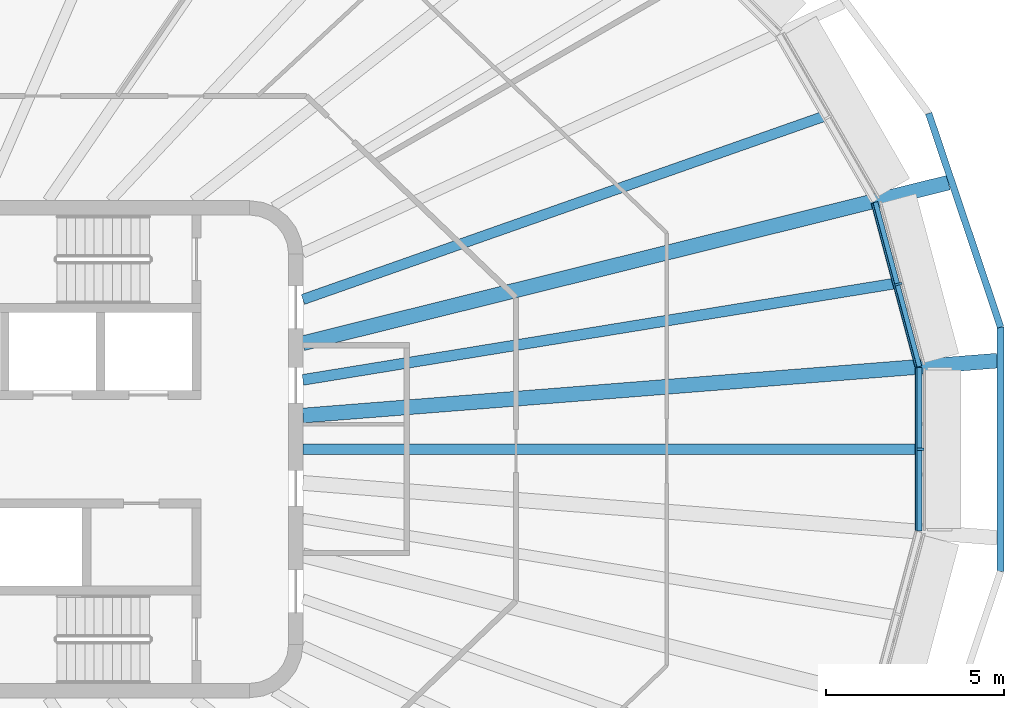
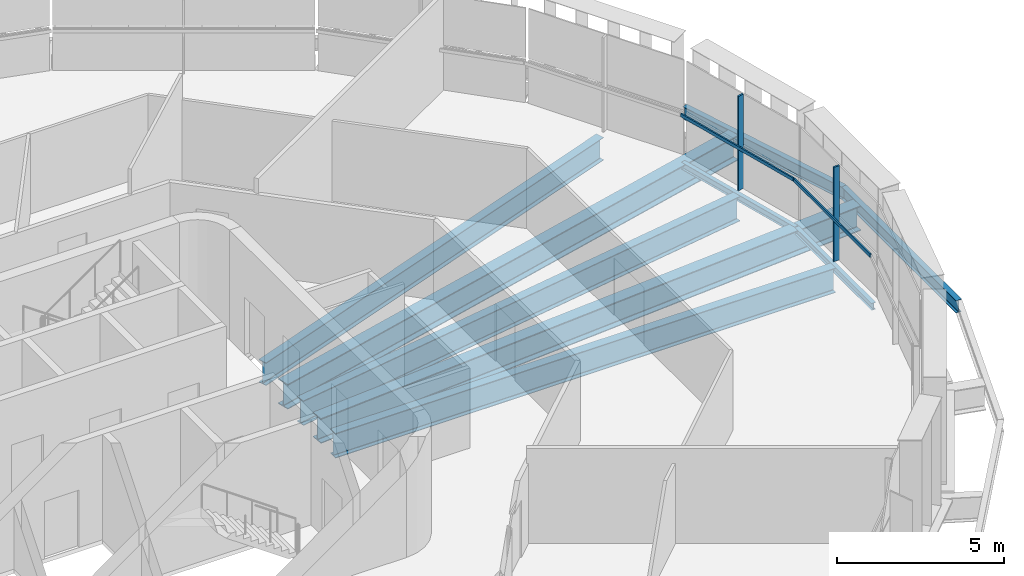
# One storey, part 5 of 19: 9 beams, 4 members, 2 elements without a shape of their own.
"""IFC4 building model written with IfcOpenShell, lengths in metres."""

import ifcopenshell
import ifcopenshell.guid

model = None  # the IFC model being written
_history = None  # IfcOwnerHistory: only IFC2X3 demands one
_inside = {}  # id of a spatial element -> (the spatial element, [elements in it])
_under = {}  # id of a project, library or spatial element -> (it, [spatial elements below it])
_declared = {}  # id of a project -> (the project, [libraries it declares])
_typed = {}  # id of a type object -> (the type object, [elements of that type])
_made_of = {}  # id of a material, layer set ... -> (it, [elements and type objects made of it])


def new_model(schema):
    """Start an empty IFC model of exactly this schema.

    Asked for "IFC4X3", IfcOpenShell would pick the latest addendum, in which some entities
    have other attributes; the version numbers below select the first issue.
    IFC2X3 requires an IfcOwnerHistory on every rooted entity: one is made here for all.
    """
    global model, _history
    if schema == "IFC4X3":
        model = ifcopenshell.file(schema_version=(4, 3, 0, 0))
    else:
        model = ifcopenshell.file(schema=schema)
    _inside.clear()
    _under.clear()
    _declared.clear()
    _typed.clear()
    _made_of.clear()
    _history = None
    if model.schema == "IFC2X3":
        org = make("IfcOrganization", Name="unknown")
        user = make(
            "IfcPersonAndOrganization",
            ThePerson=make("IfcPerson", FamilyName="unknown"),
            TheOrganization=org,
        )
        app = make(
            "IfcApplication",
            ApplicationDeveloper=org,
            Version="unknown",
            ApplicationFullName="unknown",
            ApplicationIdentifier="unknown",
        )
        _history = make(
            "IfcOwnerHistory",
            OwningUser=user,
            OwningApplication=app,
            ChangeAction="ADDED",
            CreationDate=0,
        )
    return model


def make(cls, **values):
    """One entity of the class cls with the attributes given. An attribute that is None is left unset."""
    return model.create_entity(
        cls, **{name: value for name, value in values.items() if value is not None}
    )


def rooted(cls, **values):
    """An entity with a GlobalId (a new one), such as an element, a storey or a relation."""
    return make(cls, GlobalId=ifcopenshell.guid.new(), OwnerHistory=_history, **values)


def si_unit(unit_type, name, prefix=None):
    """IfcSIUnit, for example si_unit("LENGTHUNIT", "METRE", prefix="MILLI")."""
    return make("IfcSIUnit", UnitType=unit_type, Prefix=prefix, Name=name)


def assignment(units):
    """IfcUnitAssignment: the units of a project."""
    return None if units is None else make("IfcUnitAssignment", Units=units)


def point(xyz):
    """IfcCartesianPoint."""
    return None if xyz is None else make("IfcCartesianPoint", Coordinates=xyz)


def direction(xyz):
    """IfcDirection."""
    return None if xyz is None else make("IfcDirection", DirectionRatios=xyz)


def frame(location, z_axis=None, x_axis=None):
    """IfcAxis2Placement3D, a coordinate frame: its origin and axes. An axis left out is left unset."""
    return make(
        "IfcAxis2Placement3D",
        Location=point(location),
        Axis=direction(z_axis),
        RefDirection=direction(x_axis),
    )


def frame_2d(location, x_axis=None):
    """IfcAxis2Placement2D, a coordinate frame in the plane: its origin and x axis."""
    return make(
        "IfcAxis2Placement2D", Location=point(location), RefDirection=direction(x_axis)
    )


def origin():
    """The frame at (0, 0, 0) with its axes left unset."""
    return frame((0.0, 0.0, 0.0))


def origin_2d():
    """The frame at (0, 0) in the plane with its x axis left unset."""
    return frame_2d((0.0, 0.0))


def place(relative_to, where):
    """IfcLocalPlacement: puts the frame where relative to a parent placement (None: the world)."""
    return make(
        "IfcLocalPlacement", PlacementRelTo=relative_to, RelativePlacement=where
    )


def context(
    kind, dimensions, precision=None, world=None, true_north=None, identifier=None
):
    """IfcGeometricRepresentationContext, for example the 3D "Model" context."""
    return make(
        "IfcGeometricRepresentationContext",
        ContextIdentifier=identifier,
        ContextType=kind,
        CoordinateSpaceDimension=dimensions,
        Precision=precision,
        WorldCoordinateSystem=world,
        TrueNorth=true_north,
    )


def subcontext(parent, identifier, kind, view, scale=None):
    """IfcGeometricRepresentationSubContext, for example "Body" below "Model"."""
    return make(
        "IfcGeometricRepresentationSubContext",
        ContextIdentifier=identifier,
        ContextType=kind,
        ParentContext=parent,
        TargetScale=scale,
        TargetView=view,
    )


def project(units=None, contexts=None):
    """IfcProject with its units and contexts."""
    return rooted(
        "IfcProject",
        Name="project",
        RepresentationContexts=contexts,
        UnitsInContext=assignment(units),
    )


def spatial(cls, under=None, at=None, **own):
    """A site, building, storey or space (cls), placed at a placement, below another one or the project."""
    s = rooted(cls, ObjectPlacement=at, **own)
    if under is not None:
        _under.setdefault(under.id(), (under, []))[1].append(s)
    return s


def profile(cls, at=None, kind="AREA", **sizes):
    """A parametric profile (cls). Its sizes go by their IFC names, for example OverallWidth=200.0."""
    return make(cls, ProfileType=kind, Position=at, **sizes)


def rectangle(**sizes):
    """IfcRectangleProfileDef."""
    return profile("IfcRectangleProfileDef", **sizes)


def i_section(**sizes):
    """IfcIShapeProfileDef."""
    return profile("IfcIShapeProfileDef", **sizes)


def extrude(swept, where, along, depth):
    """IfcExtrudedAreaSolid: the profile swept, set in the frame where, extruded along a direction by depth."""
    return make(
        "IfcExtrudedAreaSolid",
        SweptArea=swept,
        Position=where,
        ExtrudedDirection=direction(along),
        Depth=depth,
    )


def shape(context_of_items, identifier, shape_type, items):
    """IfcShapeRepresentation: the items that make up one representation, for example the "Body"."""
    return make(
        "IfcShapeRepresentation",
        ContextOfItems=context_of_items,
        RepresentationIdentifier=identifier,
        RepresentationType=shape_type,
        Items=items,
    )


def material(Name=None, Category=None):
    """IfcMaterial."""
    return make("IfcMaterial", Name=Name, Category=Category)


def layer(
    of_material, thickness, ventilated=None, Name=None, Category=None, Priority=None
):
    """IfcMaterialLayer: one layer of a wall or slab, of a material (None: an air gap)."""
    return make(
        "IfcMaterialLayer",
        Material=of_material,
        LayerThickness=thickness,
        IsVentilated=ventilated,
        Name=Name,
        Category=Category,
        Priority=Priority,
    )


def layer_set(layers, Name=None):
    """IfcMaterialLayerSet."""
    return make("IfcMaterialLayerSet", MaterialLayers=layers, LayerSetName=Name)


def material_profile(
    of_material, cross_section, Name=None, Category=None, Priority=None
):
    """IfcMaterialProfile: a cross section and its material."""
    return make(
        "IfcMaterialProfile",
        Name=Name,
        Material=of_material,
        Profile=cross_section,
        Priority=Priority,
        Category=Category,
    )


def profile_set(profiles, Name=None, composite=None):
    """IfcMaterialProfileSet."""
    return make(
        "IfcMaterialProfileSet",
        Name=Name,
        MaterialProfiles=profiles,
        CompositeProfile=composite,
    )


def made_of(thing, what):
    """Note that an element or type object is made of a material, layer set ...; save() writes the relation."""
    if what is not None:
        _made_of.setdefault(what.id(), (what, []))[1].append(thing)
    return thing


def type_object(cls, material=None, **own):
    """A type object (cls), such as IfcWallType, which elements share."""
    return made_of(rooted(cls, **own), material)


def element(
    cls,
    number,
    at=None,
    inside=None,
    cuts=None,
    type_object=None,
    material=None,
    context=None,
    identifier="Body",
    shape_type=None,
    held_by="IfcProductDefinitionShape",
    body=None,
    shapes=None,
    **own,
):
    """One element of the class cls, such as IfcWall. Its Tag is "e" and its number.

    at: its placement. inside: the storey or other place that contains it. cuts: it is an
    opening in that element (IfcRelVoidsElement). A single representation is given by context,
    identifier, shape_type and body (its items); several are given by shapes. held_by: the class
    of the entity that holds the representations. save() writes the other relations.
    """
    e = rooted(cls, Tag="e%d" % number, ObjectPlacement=at, **own)
    if body is not None:
        shapes = [shape(context, identifier, shape_type, body)]
    if shapes is not None:
        e.Representation = make(held_by, Representations=shapes)
    if inside is not None:
        _inside.setdefault(inside.id(), (inside, []))[1].append(e)
    if cuts is not None:
        rooted(
            "IfcRelVoidsElement", RelatingBuildingElement=cuts, RelatedOpeningElement=e
        )
    if type_object is not None:
        _typed.setdefault(type_object.id(), (type_object, []))[1].append(e)
    return made_of(e, material)


def aggregate(whole, parts):
    """IfcRelAggregates: a whole, such as a stair, and the parts it consists of."""
    return rooted("IfcRelAggregates", RelatingObject=whole, RelatedObjects=parts)


def save(model, path):
    """Write the relations noted so far, then the file.

    IfcRelAggregates (storeys below a building ...), IfcRelContainedInSpatialStructure (elements
    in a storey), IfcRelDefinesByType, IfcRelAssociatesMaterial and IfcRelDeclares: one each for
    every whole, place, type object, material and project.
    """
    for whole, parts in _under.values():
        aggregate(whole, parts)
    for where, things in _inside.values():
        rooted(
            "IfcRelContainedInSpatialStructure",
            RelatedElements=things,
            RelatingStructure=where,
        )
    for kind, things in _typed.values():
        rooted("IfcRelDefinesByType", RelatedObjects=things, RelatingType=kind)
    for what, things in _made_of.values():
        rooted("IfcRelAssociatesMaterial", RelatedObjects=things, RelatingMaterial=what)
    for by, libraries in _declared.values():
        rooted("IfcRelDeclares", RelatingContext=by, RelatedDefinitions=libraries)
    model.write(path)


model = new_model("IFC4")

# Units and contexts
model_context = context("Model", 3, precision=1e-05, world=origin(), true_north=direction((0.0, 1.0)))
body_context = subcontext(model_context, "Body", "Model", "MODEL_VIEW")
ifc_project = project(units=[si_unit("LENGTHUNIT", "METRE"), si_unit("AREAUNIT", "SQUARE_METRE"), si_unit("VOLUMEUNIT", "CUBIC_METRE"), si_unit("PLANEANGLEUNIT", "RADIAN"), si_unit("MASSUNIT", "GRAM", prefix="KILO")], contexts=[model_context])

# Site, building, storey
site_placement = place(None, origin())
site = spatial("IfcSite", under=ifc_project, at=site_placement, CompositionType="ELEMENT")
building_placement = place(site_placement, origin())
building = spatial("IfcBuilding", under=site, at=building_placement, Name="Sahrelin Media Tower", CompositionType="ELEMENT")
storey_placement = place(building_placement, frame((0.0, 0.0, 275.0)))
storey = spatial("IfcBuildingStorey", under=building, at=storey_placement, Name="L60", CompositionType="ELEMENT", Elevation=275.0)

# Beams
ifc_material_1 = material(Name="Steel S355", Category="steel")
ifc_material_profile_1 = material_profile(ifc_material_1, i_section(OverallWidth=0.14599609375, OverallDepth=0.25146484375, WebThickness=0.006103515625, FlangeThickness=0.008544921875, FilletRadius=0.007568359375, at=origin_2d()), Name="UB 254x146x31")
ifc_profile_set_1 = profile_set([ifc_material_profile_1], Name="Steel S355")
beam_type_1 = type_object("IfcBeamType", Name="Edge beam EB1", PredefinedType="BEAM", material=ifc_profile_set_1)
beam_1_placement = place(storey_placement, frame((29.364013671875, 2.298583984375, -0.275634765625), z_axis=(0.0, -1.0, 0.0), x_axis=(1.0, 0.0, 0.0)))
element("IfcBeam", 1, at=beam_1_placement, inside=storey, type_object=beam_type_1, Name="Edge beam L60-01", PredefinedType="BEAM", context=body_context, shape_type="SweptSolid", body=[
    extrude(i_section(OverallWidth=0.14599609375, OverallDepth=0.25146484375, WebThickness=0.006103515625, FlangeThickness=0.008544921875, FilletRadius=0.007568359375, at=origin_2d()), origin(), (0.0, 0.0, 1.0), 4.59716796875),
])
beam_2_placement = place(storey_placement, frame((28.119384765625, 6.9580078125, -0.275634765625), z_axis=(0.258809906332, -0.965928274969, 0.0), x_axis=(0.965928274969, 0.258809906332, 0.0)))
element("IfcBeam", 2, at=beam_2_placement, inside=storey, type_object=beam_type_1, Name="Edge beam L60-20", PredefinedType="BEAM", context=body_context, shape_type="SweptSolid", body=[
    extrude(i_section(OverallWidth=0.14599609375, OverallDepth=0.25146484375, WebThickness=0.006103515625, FlangeThickness=0.008544921875, FilletRadius=0.007568359375, at=origin_2d()), origin(), (0.0, 0.0, 1.0), 4.7939453125),
])

# Curtain wall, member
ifc_material_2 = material(Name="Champagne anodised aluminium 6063-T6", Category="aluminium")
ifc_layer = layer(ifc_material_2, 0.14990234375)
ifc_layer_set = layer_set([ifc_layer], Name="Tower ribbon curtain wall")
curtain_wall_type = type_object("IfcCurtainWallType", Name="Tower ribbon curtain wall", PredefinedType="NOTDEFINED", material=ifc_layer_set)
curtain_wall_1_placement = place(storey_placement, frame((29.513916015625, 0.0, 0.0), z_axis=(0.0, 0.0, 1.0), x_axis=(1.0, 0.0, 0.0)))
curtain_wall_1 = element("IfcCurtainWall", 3, at=curtain_wall_1_placement, inside=storey, type_object=curtain_wall_type, Name="L60:CW:L60-00", PredefinedType="NOTDEFINED")
ifc_material_profile_2 = material_profile(ifc_material_2, rectangle(XDim=0.06005859375, YDim=0.199951171875, at=origin_2d()), Name="Mullion 60x200")
ifc_profile_set_2 = profile_set([ifc_material_profile_2], Name="Champagne anodised aluminium 6063-T6")
member_type_1 = type_object("IfcMemberType", Name="Mullion 60x200 CW1C", PredefinedType="MULLION", material=ifc_profile_set_2)
member_1_placement = place(storey_placement, frame((29.39404296875, 0.0, 0.0), z_axis=(0.0, 0.0, 1.0), x_axis=(0.0, 1.0, 0.0)))
member_1 = element("IfcMember", 4, at=member_1_placement, type_object=member_type_1, Name="L60:CWM:L60-00", PredefinedType="MULLION", context=body_context, shape_type="SweptSolid", body=[
    extrude(rectangle(XDim=0.06005859375, YDim=0.199951171875, at=origin_2d()), origin(), (0.0, 0.0, 1.0), 3.448486328125),
])

curtain_wall_2_placement = place(storey_placement, frame((28.884765625, 4.681396484375, 0.0), z_axis=(0.0, 0.0, 1.0), x_axis=(1.0, 0.0, 0.0)))
curtain_wall_2 = element("IfcCurtainWall", 5, at=curtain_wall_2_placement, inside=storey, type_object=curtain_wall_type, Name="L60:CW:L60-01", PredefinedType="NOTDEFINED")
member_2_placement = place(storey_placement, frame((28.768798828125, 4.650390625, 0.0), z_axis=(0.0, 0.0, 1.0), x_axis=(-0.258813987523, 0.965927181449, 0.0)))
member_2 = element("IfcMember", 6, at=member_2_placement, type_object=member_type_1, Name="L60:CWM:L60-01", PredefinedType="MULLION", context=body_context, shape_type="SweptSolid", body=[
    extrude(rectangle(XDim=0.06005859375, YDim=0.199951171875, at=origin_2d()), origin(), (0.0, 0.0, 1.0), 3.448486328125),
])

# Beams
ifc_material_profile_3 = material_profile(ifc_material_1, i_section(OverallWidth=0.41845703125, OverallDepth=0.911865234375, WebThickness=0.019287109375, FlangeThickness=0.031982421875, FilletRadius=0.024169921875, at=origin_2d()), Name="UB 914x419x343")
ifc_profile_set_3 = profile_set([ifc_material_profile_3], Name="Steel S355")
beam_type_2 = type_object("IfcBeamType", Name="Radial primary beam PB12", PredefinedType="BEAM", material=ifc_profile_set_3)
beam_3_placement = place(storey_placement, frame((12.0, 0.948486328125, -0.60595703125), z_axis=(0.996889791436, 0.078808271962, 0.0), x_axis=(-0.078808271962, 0.996889791436, 0.0)))
element("IfcBeam", 7, at=beam_3_placement, inside=storey, type_object=beam_type_2, Name="Radial beam L60-01", PredefinedType="BEAM", context=body_context, shape_type="SweptSolid", body=[
    extrude(i_section(OverallWidth=0.41845703125, OverallDepth=0.911865234375, WebThickness=0.019287109375, FlangeThickness=0.031982421875, FilletRadius=0.024169921875, at=origin_2d()), origin(), (0.0, 0.0, 1.0), 19.615966796875),
])
beam_4_placement = place(storey_placement, frame((12.0, 2.985595703125, -0.60595703125), z_axis=(0.970415551073, 0.241440796545, 0.0), x_axis=(-0.241440796545, 0.970415551073, 0.0)))
element("IfcBeam", 8, at=beam_4_placement, inside=storey, type_object=beam_type_2, Name="Radial beam L60-02", PredefinedType="BEAM", context=body_context, shape_type="SweptSolid", body=[
    extrude(i_section(OverallWidth=0.41845703125, OverallDepth=0.911865234375, WebThickness=0.019287109375, FlangeThickness=0.031982421875, FilletRadius=0.024169921875, at=origin_2d()), origin(), (0.0, 0.0, 1.0), 18.734130859375),
])
ifc_material_profile_4 = material_profile(ifc_material_1, i_section(OverallWidth=0.291748046875, OverallDepth=0.8349609375, WebThickness=0.013916015625, FlangeThickness=0.018798828125, FilletRadius=0.017822265625, at=origin_2d()), Name="UB 838x292x176")
ifc_profile_set_4 = profile_set([ifc_material_profile_4], Name="Steel S355")
beam_type_3 = type_object("IfcBeamType", Name="Radial secondary beam SB10", PredefinedType="BEAM", material=ifc_profile_set_4)
beam_5_placement = place(storey_placement, frame((12.0, 4.218017578125, -0.5673828125), z_axis=(0.94341797598, 0.331605974914, 0.0), x_axis=(-0.331605974914, 0.94341797598, 0.0)))
element("IfcBeam", 9, at=beam_5_placement, inside=storey, type_object=beam_type_3, Name="Secondary beam L60-02", PredefinedType="BEAM", context=body_context, shape_type="SweptSolid", body=[
    extrude(i_section(OverallWidth=0.291748046875, OverallDepth=0.8349609375, WebThickness=0.013916015625, FlangeThickness=0.018798828125, FilletRadius=0.017822265625, at=origin_2d()), origin(), (0.0, 0.0, 1.0), 15.517578125),
])
ifc_material_profile_5 = material_profile(ifc_material_1, i_section(OverallWidth=0.30322265625, OverallDepth=0.903076171875, WebThickness=0.01513671875, FlangeThickness=0.020263671875, FilletRadius=0.01904296875, at=origin_2d()), Name="UB 914x305x201")
ifc_profile_set_5 = profile_set([ifc_material_profile_5], Name="Steel S355")
beam_type_4 = type_object("IfcBeamType", Name="Radial secondary beam SB11", PredefinedType="BEAM", material=ifc_profile_set_5)
beam_6_placement = place(storey_placement, frame((12.0, 1.953369140625, -0.6015625), z_axis=(0.987008496952, 0.160668064481, 0.0), x_axis=(-0.160668064481, 0.987008496952, 0.0)))
element("IfcBeam", 10, at=beam_6_placement, inside=storey, type_object=beam_type_4, Name="Secondary beam L60-01", PredefinedType="BEAM", context=body_context, shape_type="SweptSolid", body=[
    extrude(i_section(OverallWidth=0.30322265625, OverallDepth=0.903076171875, WebThickness=0.01513671875, FlangeThickness=0.020263671875, FilletRadius=0.01904296875, at=origin_2d()), origin(), (0.0, 0.0, 1.0), 16.87744140625),
])
beam_7_placement = place(storey_placement, frame((12.0, 0.0, -0.6015625), z_axis=(1.0, 0.0, 0.0), x_axis=(0.0, 1.0, 0.0)))
element("IfcBeam", 11, at=beam_7_placement, inside=storey, type_object=beam_type_4, Name="Secondary beam L60-20", PredefinedType="BEAM", context=body_context, shape_type="SweptSolid", body=[
    extrude(i_section(OverallWidth=0.30322265625, OverallDepth=0.903076171875, WebThickness=0.01513671875, FlangeThickness=0.020263671875, FilletRadius=0.01904296875, at=origin_2d()), origin(), (0.0, 0.0, 1.0), 17.291015625),
])
ifc_material_profile_6 = material_profile(ifc_material_1, i_section(OverallWidth=0.1904296875, OverallDepth=0.45703125, WebThickness=0.009033203125, FlangeThickness=0.014404296875, FilletRadius=0.01025390625, at=origin_2d()), Name="UB 457x191x74")
ifc_profile_set_6 = profile_set([ifc_material_profile_6], Name="Steel S355")
beam_type_5 = type_object("IfcBeamType", Name="Tie chord TC5", PredefinedType="BEAM", material=ifc_profile_set_6)
beam_8_placement = place(storey_placement, frame((31.650146484375, 3.4384765625, -0.37841796875), z_axis=(-0.318923237503, 0.947780548745, 0.0), x_axis=(-0.947780548745, -0.318923237503, 0.0)))
element("IfcBeam", 12, at=beam_8_placement, inside=storey, type_object=beam_type_5, Name="Tie chord L60-01", PredefinedType="BEAM", context=body_context, shape_type="SweptSolid", body=[
    extrude(i_section(OverallWidth=0.1904296875, OverallDepth=0.45703125, WebThickness=0.009033203125, FlangeThickness=0.014404296875, FilletRadius=0.01025390625, at=origin_2d()), origin(), (0.0, 0.0, 1.0), 6.355224609375),
])
beam_9_placement = place(storey_placement, frame((31.650146484375, -3.4384765625, -0.37841796875), z_axis=(0.0, 1.0, 0.0), x_axis=(-1.0, 0.0, 0.0)))
element("IfcBeam", 13, at=beam_9_placement, inside=storey, type_object=beam_type_5, Name="Tie chord L60-24", PredefinedType="BEAM", context=body_context, shape_type="SweptSolid", body=[
    extrude(i_section(OverallWidth=0.1904296875, OverallDepth=0.45703125, WebThickness=0.009033203125, FlangeThickness=0.014404296875, FilletRadius=0.01025390625, at=origin_2d()), origin(), (0.0, 0.0, 1.0), 6.876953125),
])

# Member
ifc_material_profile_7 = material_profile(ifc_material_2, rectangle(XDim=0.050048828125, YDim=0.1201171875, at=origin_2d()), Name="Transom 50x120")
ifc_profile_set_7 = profile_set([ifc_material_profile_7], Name="Champagne anodised aluminium 6063-T6")
member_type_2 = type_object("IfcMemberType", Name="Transom 50x120 CW1C", PredefinedType="USERDEFINED", material=ifc_profile_set_7)
member_3_placement = place(storey_placement, frame((29.26904296875, -2.282958984375, 1.60009765625), z_axis=(0.0, 1.0, 0.0), x_axis=(-1.0, 0.0, 0.0)))
member_3 = element("IfcMember", 14, at=member_3_placement, type_object=member_type_2, Name="L60:CWT:L60-00", ObjectType="TRANSOM", PredefinedType="USERDEFINED", context=body_context, shape_type="SweptSolid", body=[
    extrude(rectangle(XDim=0.050048828125, YDim=0.1201171875, at=origin_2d()), origin(), (0.0, 0.0, 1.0), 4.56591796875),
])

aggregate(curtain_wall_1, [member_1, member_3])

member_4_placement = place(storey_placement, frame((29.264404296875, 2.31787109375, 1.60009765625), z_axis=(-0.258820640976, 0.965925398675, 0.0), x_axis=(-0.965925398675, -0.258820640976, 0.0)))
member_4 = element("IfcMember", 15, at=member_4_placement, type_object=member_type_2, Name="L60:CWT:L60-01", ObjectType="TRANSOM", PredefinedType="USERDEFINED", context=body_context, shape_type="SweptSolid", body=[
    extrude(rectangle(XDim=0.050048828125, YDim=0.1201171875, at=origin_2d()), origin(), (0.0, 0.0, 1.0), 4.7626953125),
])

aggregate(curtain_wall_2, [member_2, member_4])

save(model, "model.ifc")
